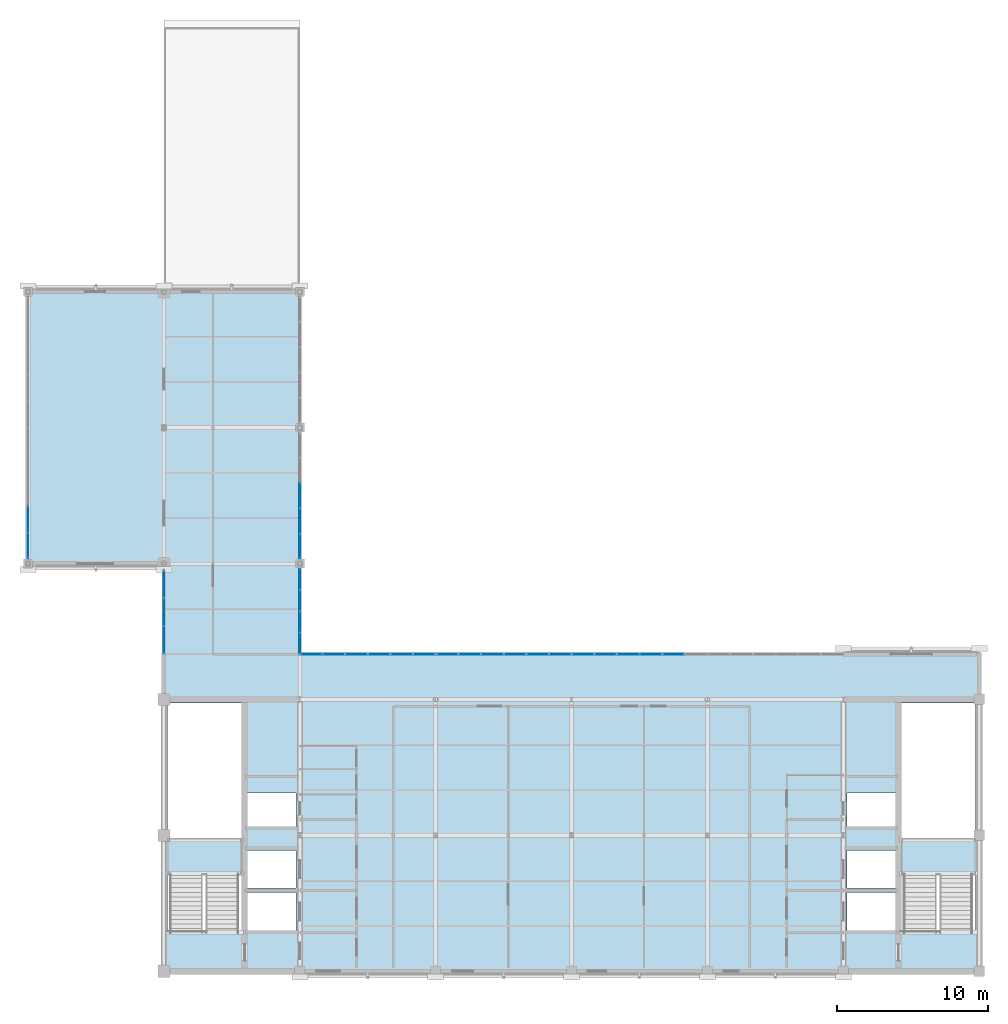
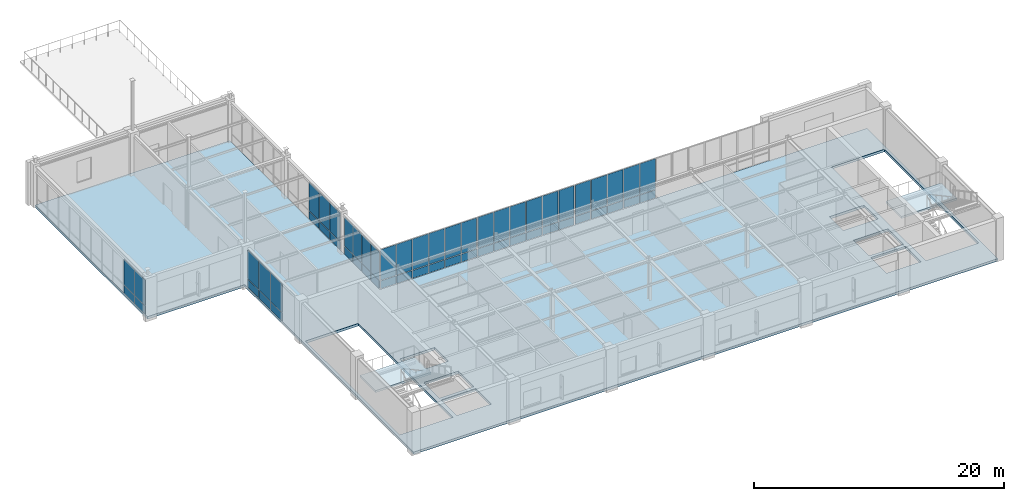
# One storey, part 28 of 36: 58 plates, 3 slabs, 6 openings, 9 elements without a shape of their own.
"""IFC4 building model written with IfcOpenShell, lengths in metres."""

from ifc_helpers import new_model, si_unit, direction, frame, origin, origin_2d, place, context, subcontext, project, spatial, polyline, rectangle, outline, extrude, material, layer, layer_set, type_object, element, aggregate, save


model = new_model("IFC4")

# Units and contexts
model_context = context("Model", 3, precision=1e-05, world=origin(), true_north=direction((0.0, 1.0)))
body_context = subcontext(model_context, "Body", "Model", "MODEL_VIEW")
ifc_project = project(units=[si_unit("LENGTHUNIT", "METRE"), si_unit("AREAUNIT", "SQUARE_METRE"), si_unit("VOLUMEUNIT", "CUBIC_METRE"), si_unit("PLANEANGLEUNIT", "RADIAN"), si_unit("MASSUNIT", "GRAM", prefix="KILO")], contexts=[model_context])

# Site, building, storey
site_placement = place(None, origin())
site = spatial("IfcSite", under=ifc_project, at=site_placement, CompositionType="ELEMENT")
building_placement = place(site_placement, origin())
building = spatial("IfcBuilding", under=site, at=building_placement, Name="Lykobir Media Centre", CompositionType="ELEMENT")
storey_placement = place(building_placement, frame((0.0, 0.0, 27.60009765625)))
storey = spatial("IfcBuildingStorey", under=building, at=storey_placement, Name="L06", CompositionType="ELEMENT", Elevation=27.60009765625)

# Curtain wall, plates
ifc_material_1 = material(Name="Anodized Aluminium AW-6060", Category="aluminium")
curtain_wall_type_1 = type_object("IfcCurtainWallType", Name="CW-COURT-B", PredefinedType="NOTDEFINED", material=ifc_material_1)
curtain_wall_1_placement = place(storey_placement, origin())
curtain_wall_1 = element("IfcCurtainWall", 1, at=curtain_wall_1_placement, inside=storey, type_object=curtain_wall_type_1, Name="Curtain wall CW2-L06-0206", PredefinedType="NOTDEFINED")
ifc_material_2 = material(Name="Low-E Laminated Triple Glazing", Category="glass")
ifc_layer_1 = layer(ifc_material_2, 0.0380859375, Name="Low-E Laminated Triple Glazing")
ifc_layer_set_1 = layer_set([ifc_layer_1], Name="Low-E Laminated Triple Glazing")
plate_type_1 = type_object("IfcPlateType", Name="CWP-GLZ-38", PredefinedType="CURTAIN_PANEL", material=ifc_layer_set_1)
plate_1_placement = place(storey_placement, frame((36.763916015625, 21.0, 0.87744140625), z_axis=(0.0, 0.0, 1.0), x_axis=(1.0, 0.0, 0.0)))
plate_1 = element("IfcPlate", 2, at=plate_1_placement, type_object=plate_type_1, Name="CW2-L06-0206 panel 1.2", PredefinedType="CURTAIN_PANEL", context=body_context, shape_type="SweptSolid", body=[
    extrude(rectangle(XDim=1.41748046875, YDim=0.0380859375, at=origin_2d()), origin(), (0.0, 0.0, 1.0), 3.007568359375),
])
plate_2_placement = place(storey_placement, frame((38.25, 21.0, 0.87744140625), z_axis=(0.0, 0.0, 1.0), x_axis=(1.0, 0.0, 0.0)))
plate_2 = element("IfcPlate", 3, at=plate_2_placement, type_object=plate_type_1, Name="CW2-L06-0206 panel 2.2", PredefinedType="CURTAIN_PANEL", context=body_context, shape_type="SweptSolid", body=[
    extrude(rectangle(XDim=1.445068359375, YDim=0.0380859375, at=origin_2d()), origin(), (0.0, 0.0, 1.0), 3.007568359375),
])
plate_3_placement = place(storey_placement, frame((39.75, 21.0, 0.87744140625), z_axis=(0.0, 0.0, 1.0), x_axis=(1.0, 0.0, 0.0)))
plate_3 = element("IfcPlate", 4, at=plate_3_placement, type_object=plate_type_1, Name="CW2-L06-0206 panel 3.2", PredefinedType="CURTAIN_PANEL", context=body_context, shape_type="SweptSolid", body=[
    extrude(rectangle(XDim=1.445068359375, YDim=0.0380859375, at=origin_2d()), origin(), (0.0, 0.0, 1.0), 3.007568359375),
])
plate_4_placement = place(storey_placement, frame((41.25, 21.0, 0.87744140625), z_axis=(0.0, 0.0, 1.0), x_axis=(1.0, 0.0, 0.0)))
plate_4 = element("IfcPlate", 5, at=plate_4_placement, type_object=plate_type_1, Name="CW2-L06-0206 panel 4.2", PredefinedType="CURTAIN_PANEL", context=body_context, shape_type="SweptSolid", body=[
    extrude(rectangle(XDim=1.445068359375, YDim=0.0380859375, at=origin_2d()), origin(), (0.0, 0.0, 1.0), 3.007568359375),
])
plate_5_placement = place(storey_placement, frame((42.75, 21.0, 0.87744140625), z_axis=(0.0, 0.0, 1.0), x_axis=(1.0, 0.0, 0.0)))
plate_5 = element("IfcPlate", 6, at=plate_5_placement, type_object=plate_type_1, Name="CW2-L06-0206 panel 5.2", PredefinedType="CURTAIN_PANEL", context=body_context, shape_type="SweptSolid", body=[
    extrude(rectangle(XDim=1.445068359375, YDim=0.0380859375, at=origin_2d()), origin(), (0.0, 0.0, 1.0), 3.007568359375),
])
plate_6_placement = place(storey_placement, frame((44.236083984375, 21.0, 0.87744140625), z_axis=(0.0, 0.0, 1.0), x_axis=(1.0, 0.0, 0.0)))
plate_6 = element("IfcPlate", 7, at=plate_6_placement, type_object=plate_type_1, Name="CW2-L06-0206 panel 6.2", PredefinedType="CURTAIN_PANEL", context=body_context, shape_type="SweptSolid", body=[
    extrude(rectangle(XDim=1.41748046875, YDim=0.0380859375, at=origin_2d()), origin(), (0.0, 0.0, 1.0), 3.007568359375),
])

curtain_wall_2_placement = place(storey_placement, origin())
curtain_wall_2 = element("IfcCurtainWall", 8, at=curtain_wall_2_placement, inside=storey, type_object=curtain_wall_type_1, Name="Curtain wall CW2-L06-0207", PredefinedType="NOTDEFINED")
plate_7_placement = place(storey_placement, frame((45.763916015625, 21.0, 0.87744140625), z_axis=(0.0, 0.0, 1.0), x_axis=(1.0, 0.0, 0.0)))
plate_7 = element("IfcPlate", 9, at=plate_7_placement, type_object=plate_type_1, Name="CW2-L06-0207 panel 1.2", PredefinedType="CURTAIN_PANEL", context=body_context, shape_type="SweptSolid", body=[
    extrude(rectangle(XDim=1.41748046875, YDim=0.0380859375, at=origin_2d()), origin(), (0.0, 0.0, 1.0), 3.007568359375),
])
plate_8_placement = place(storey_placement, frame((47.25, 21.0, 0.87744140625), z_axis=(0.0, 0.0, 1.0), x_axis=(1.0, 0.0, 0.0)))
plate_8 = element("IfcPlate", 10, at=plate_8_placement, type_object=plate_type_1, Name="CW2-L06-0207 panel 2.2", PredefinedType="CURTAIN_PANEL", context=body_context, shape_type="SweptSolid", body=[
    extrude(rectangle(XDim=1.445068359375, YDim=0.0380859375, at=origin_2d()), origin(), (0.0, 0.0, 1.0), 3.007568359375),
])
plate_9_placement = place(storey_placement, frame((48.75, 21.0, 0.87744140625), z_axis=(0.0, 0.0, 1.0), x_axis=(1.0, 0.0, 0.0)))
plate_9 = element("IfcPlate", 11, at=plate_9_placement, type_object=plate_type_1, Name="CW2-L06-0207 panel 3.2", PredefinedType="CURTAIN_PANEL", context=body_context, shape_type="SweptSolid", body=[
    extrude(rectangle(XDim=1.445068359375, YDim=0.0380859375, at=origin_2d()), origin(), (0.0, 0.0, 1.0), 3.007568359375),
])
plate_10_placement = place(storey_placement, frame((50.25, 21.0, 0.87744140625), z_axis=(0.0, 0.0, 1.0), x_axis=(1.0, 0.0, 0.0)))
plate_10 = element("IfcPlate", 12, at=plate_10_placement, type_object=plate_type_1, Name="CW2-L06-0207 panel 4.2", PredefinedType="CURTAIN_PANEL", context=body_context, shape_type="SweptSolid", body=[
    extrude(rectangle(XDim=1.445068359375, YDim=0.0380859375, at=origin_2d()), origin(), (0.0, 0.0, 1.0), 3.007568359375),
])
plate_11_placement = place(storey_placement, frame((51.75, 21.0, 0.87744140625), z_axis=(0.0, 0.0, 1.0), x_axis=(1.0, 0.0, 0.0)))
plate_11 = element("IfcPlate", 13, at=plate_11_placement, type_object=plate_type_1, Name="CW2-L06-0207 panel 5.2", PredefinedType="CURTAIN_PANEL", context=body_context, shape_type="SweptSolid", body=[
    extrude(rectangle(XDim=1.445068359375, YDim=0.0380859375, at=origin_2d()), origin(), (0.0, 0.0, 1.0), 3.007568359375),
])
plate_12_placement = place(storey_placement, frame((53.236083984375, 21.0, 0.87744140625), z_axis=(0.0, 0.0, 1.0), x_axis=(1.0, 0.0, 0.0)))
plate_12 = element("IfcPlate", 14, at=plate_12_placement, type_object=plate_type_1, Name="CW2-L06-0207 panel 6.2", PredefinedType="CURTAIN_PANEL", context=body_context, shape_type="SweptSolid", body=[
    extrude(rectangle(XDim=1.41748046875, YDim=0.0380859375, at=origin_2d()), origin(), (0.0, 0.0, 1.0), 3.007568359375),
])

curtain_wall_3_placement = place(storey_placement, origin())
curtain_wall_3 = element("IfcCurtainWall", 15, at=curtain_wall_3_placement, inside=storey, type_object=curtain_wall_type_1, Name="Curtain wall CW2-L06-0208", PredefinedType="NOTDEFINED")
plate_13_placement = place(storey_placement, frame((54.763916015625, 21.0, 0.87744140625), z_axis=(0.0, 0.0, 1.0), x_axis=(1.0, 0.0, 0.0)))
plate_13 = element("IfcPlate", 16, at=plate_13_placement, type_object=plate_type_1, Name="CW2-L06-0208 panel 1.2", PredefinedType="CURTAIN_PANEL", context=body_context, shape_type="SweptSolid", body=[
    extrude(rectangle(XDim=1.41748046875, YDim=0.0380859375, at=origin_2d()), origin(), (0.0, 0.0, 1.0), 3.007568359375),
])
plate_14_placement = place(storey_placement, frame((56.25, 21.0, 0.87744140625), z_axis=(0.0, 0.0, 1.0), x_axis=(1.0, 0.0, 0.0)))
plate_14 = element("IfcPlate", 17, at=plate_14_placement, type_object=plate_type_1, Name="CW2-L06-0208 panel 2.2", PredefinedType="CURTAIN_PANEL", context=body_context, shape_type="SweptSolid", body=[
    extrude(rectangle(XDim=1.445068359375, YDim=0.0380859375, at=origin_2d()), origin(), (0.0, 0.0, 1.0), 3.007568359375),
])
plate_15_placement = place(storey_placement, frame((57.75, 21.0, 0.87744140625), z_axis=(0.0, 0.0, 1.0), x_axis=(1.0, 0.0, 0.0)))
plate_15 = element("IfcPlate", 18, at=plate_15_placement, type_object=plate_type_1, Name="CW2-L06-0208 panel 3.2", PredefinedType="CURTAIN_PANEL", context=body_context, shape_type="SweptSolid", body=[
    extrude(rectangle(XDim=1.445068359375, YDim=0.0380859375, at=origin_2d()), origin(), (0.0, 0.0, 1.0), 3.007568359375),
])
plate_16_placement = place(storey_placement, frame((59.25, 21.0, 0.87744140625), z_axis=(0.0, 0.0, 1.0), x_axis=(1.0, 0.0, 0.0)))
plate_16 = element("IfcPlate", 19, at=plate_16_placement, type_object=plate_type_1, Name="CW2-L06-0208 panel 4.2", PredefinedType="CURTAIN_PANEL", context=body_context, shape_type="SweptSolid", body=[
    extrude(rectangle(XDim=1.445068359375, YDim=0.0380859375, at=origin_2d()), origin(), (0.0, 0.0, 1.0), 3.007568359375),
])
plate_17_placement = place(storey_placement, frame((60.75, 21.0, 0.87744140625), z_axis=(0.0, 0.0, 1.0), x_axis=(1.0, 0.0, 0.0)))
plate_17 = element("IfcPlate", 20, at=plate_17_placement, type_object=plate_type_1, Name="CW2-L06-0208 panel 5.2", PredefinedType="CURTAIN_PANEL", context=body_context, shape_type="SweptSolid", body=[
    extrude(rectangle(XDim=1.445068359375, YDim=0.0380859375, at=origin_2d()), origin(), (0.0, 0.0, 1.0), 3.007568359375),
])

curtain_wall_4_placement = place(storey_placement, origin())
curtain_wall_4 = element("IfcCurtainWall", 21, at=curtain_wall_4_placement, inside=storey, type_object=curtain_wall_type_1, Name="Curtain wall CW2-L06-0210", PredefinedType="NOTDEFINED")
plate_18_placement = place(storey_placement, frame((36.0, 25.969482421875, 0.87744140625), z_axis=(0.0, 0.0, 1.0), x_axis=(0.0, -1.0, 0.0)))
plate_18 = element("IfcPlate", 22, at=plate_18_placement, type_object=plate_type_1, Name="CW2-L06-0210 panel 1.2", PredefinedType="CURTAIN_PANEL", context=body_context, shape_type="SweptSolid", body=[
    extrude(rectangle(XDim=1.34130859375, YDim=0.0380859375, at=origin_2d()), origin(), (0.0, 0.0, 1.0), 2.762451171875),
])
plate_19_placement = place(storey_placement, frame((36.0, 24.559326171875, 0.87744140625), z_axis=(0.0, 0.0, 1.0), x_axis=(0.0, -1.0, 0.0)))
plate_19 = element("IfcPlate", 23, at=plate_19_placement, type_object=plate_type_1, Name="CW2-L06-0210 panel 2.2", PredefinedType="CURTAIN_PANEL", context=body_context, shape_type="SweptSolid", body=[
    extrude(rectangle(XDim=1.368896484375, YDim=0.0380859375, at=origin_2d()), origin(), (0.0, 0.0, 1.0), 2.762451171875),
])
plate_20_placement = place(storey_placement, frame((36.0, 23.135498046875, 0.87744140625), z_axis=(0.0, 0.0, 1.0), x_axis=(0.0, -1.0, 0.0)))
plate_20 = element("IfcPlate", 24, at=plate_20_placement, type_object=plate_type_1, Name="CW2-L06-0210 panel 3.2", PredefinedType="CURTAIN_PANEL", context=body_context, shape_type="SweptSolid", body=[
    extrude(rectangle(XDim=1.368896484375, YDim=0.0380859375, at=origin_2d()), origin(), (0.0, 0.0, 1.0), 2.762451171875),
])
plate_21_placement = place(storey_placement, frame((36.0, 21.7255859375, 0.87744140625), z_axis=(0.0, 0.0, 1.0), x_axis=(0.0, -1.0, 0.0)))
plate_21 = element("IfcPlate", 25, at=plate_21_placement, type_object=plate_type_1, Name="CW2-L06-0210 panel 4.2", PredefinedType="CURTAIN_PANEL", context=body_context, shape_type="SweptSolid", body=[
    extrude(rectangle(XDim=1.34130859375, YDim=0.0380859375, at=origin_2d()), origin(), (0.0, 0.0, 1.0), 2.762451171875),
])

curtain_wall_5_placement = place(storey_placement, origin())
curtain_wall_5 = element("IfcCurtainWall", 26, at=curtain_wall_5_placement, inside=storey, type_object=curtain_wall_type_1, Name="Curtain wall CW2-L06-0211", PredefinedType="NOTDEFINED")
plate_22_placement = place(storey_placement, frame((36.0, 31.5, 0.87744140625), z_axis=(0.0, 0.0, 1.0), x_axis=(0.0, -1.0, 0.0)))
plate_22 = element("IfcPlate", 27, at=plate_22_placement, type_object=plate_type_1, Name="CW2-L06-0211 panel 3.2", PredefinedType="CURTAIN_PANEL", context=body_context, shape_type="SweptSolid", body=[
    extrude(rectangle(XDim=1.623046875, YDim=0.0380859375, at=origin_2d()), origin(), (0.0, 0.0, 1.0), 2.760498046875),
])
plate_23_placement = place(storey_placement, frame((36.0, 29.822021484375, 0.87744140625), z_axis=(0.0, 0.0, 1.0), x_axis=(0.0, -1.0, 0.0)))
plate_23 = element("IfcPlate", 28, at=plate_23_placement, type_object=plate_type_1, Name="CW2-L06-0211 panel 4.2", PredefinedType="CURTAIN_PANEL", context=body_context, shape_type="SweptSolid", body=[
    extrude(rectangle(XDim=1.623046875, YDim=0.0380859375, at=origin_2d()), origin(), (0.0, 0.0, 1.0), 2.760498046875),
])
plate_24_placement = place(storey_placement, frame((36.0, 28.15771484375, 0.87744140625), z_axis=(0.0, 0.0, 1.0), x_axis=(0.0, -1.0, 0.0)))
plate_24 = element("IfcPlate", 29, at=plate_24_placement, type_object=plate_type_1, Name="CW2-L06-0211 panel 5.2", PredefinedType="CURTAIN_PANEL", context=body_context, shape_type="SweptSolid", body=[
    extrude(rectangle(XDim=1.595458984375, YDim=0.0380859375, at=origin_2d()), origin(), (0.0, 0.0, 1.0), 2.760498046875),
])

curtain_wall_type_2 = type_object("IfcCurtainWallType", Name="CW-PAV-V3", PredefinedType="NOTDEFINED", material=ifc_material_1)
curtain_wall_6_placement = place(storey_placement, origin())
curtain_wall_6 = element("IfcCurtainWall", 30, at=curtain_wall_6_placement, inside=storey, type_object=curtain_wall_type_2, Name="Curtain wall CW2-L06-0213", PredefinedType="NOTDEFINED")
plate_25_placement = place(storey_placement, frame((18.0, 28.189453125, 0.8798828125), z_axis=(0.0, 0.0, 1.0), x_axis=(0.0, 1.0, 0.0)))
plate_25 = element("IfcPlate", 31, at=plate_25_placement, type_object=plate_type_1, Name="CW2-L06-0213 panel 1.2", PredefinedType="CURTAIN_PANEL", context=body_context, shape_type="SweptSolid", body=[
    extrude(rectangle(XDim=1.64892578125, YDim=0.0380859375, at=origin_2d()), origin(), (0.0, 0.0, 1.0), 2.47509765625),
])
plate_26_placement = place(storey_placement, frame((18.0, 29.91357421875, 0.8798828125), z_axis=(0.0, 0.0, 1.0), x_axis=(0.0, 1.0, 0.0)))
plate_26 = element("IfcPlate", 32, at=plate_26_placement, type_object=plate_type_1, Name="CW2-L06-0213 panel 2.2", PredefinedType="CURTAIN_PANEL", context=body_context, shape_type="SweptSolid", body=[
    extrude(rectangle(XDim=1.678955078125, YDim=0.0380859375, at=origin_2d()), origin(), (0.0, 0.0, 1.0), 2.47509765625),
])

curtain_wall_7_placement = place(storey_placement, origin())
curtain_wall_7 = element("IfcCurtainWall", 33, at=curtain_wall_7_placement, inside=storey, type_object=curtain_wall_type_1, Name="Curtain wall CW2-L06-0215", PredefinedType="NOTDEFINED")
plate_27_placement = place(storey_placement, frame((27.0, 21.9462890625, 0.87744140625), z_axis=(0.0, 0.0, 1.0), x_axis=(0.0, 1.0, 0.0)))
plate_27 = element("IfcPlate", 34, at=plate_27_placement, type_object=plate_type_1, Name="CW2-L06-0215 panel 1.2", PredefinedType="CURTAIN_PANEL", context=body_context, shape_type="SweptSolid", body=[
    extrude(rectangle(XDim=1.782470703125, YDim=0.0380859375, at=origin_2d()), origin(), (0.0, 0.0, 1.0), 2.782470703125),
])
plate_28_placement = place(storey_placement, frame((27.0, 23.797607421875, 0.87744140625), z_axis=(0.0, 0.0, 1.0), x_axis=(0.0, 1.0, 0.0)))
plate_28 = element("IfcPlate", 35, at=plate_28_placement, type_object=plate_type_1, Name="CW2-L06-0215 panel 2.2", PredefinedType="CURTAIN_PANEL", context=body_context, shape_type="SweptSolid", body=[
    extrude(rectangle(XDim=1.81005859375, YDim=0.0380859375, at=origin_2d()), origin(), (0.0, 0.0, 1.0), 2.782470703125),
])
plate_29_placement = place(storey_placement, frame((27.0, 25.648681640625, 0.87744140625), z_axis=(0.0, 0.0, 1.0), x_axis=(0.0, 1.0, 0.0)))
plate_29 = element("IfcPlate", 36, at=plate_29_placement, type_object=plate_type_1, Name="CW2-L06-0215 panel 3.2", PredefinedType="CURTAIN_PANEL", context=body_context, shape_type="SweptSolid", body=[
    extrude(rectangle(XDim=1.782470703125, YDim=0.0380859375, at=origin_2d()), origin(), (0.0, 0.0, 1.0), 2.782470703125),
])

# Plate
ifc_material_3 = material(Name="Pre-Weathered Titanium-Zinc", Category="metal")
ifc_layer_2 = layer(ifc_material_3, 0.052001953125, Name="Pre-Weathered Titanium-Zinc")
ifc_layer_set_2 = layer_set([ifc_layer_2], Name="Pre-Weathered Titanium-Zinc")
plate_type_2 = type_object("IfcPlateType", Name="CWP-SPN-52", PredefinedType="CURTAIN_PANEL", material=ifc_layer_set_2)
plate_30_placement = place(storey_placement, frame((36.763916015625, 21.0, 0.054931640625), z_axis=(0.0, 0.0, 1.0), x_axis=(1.0, 0.0, 0.0)))
plate_30 = element("IfcPlate", 37, at=plate_30_placement, type_object=plate_type_2, Name="CW2-L06-0206 panel 1.1", PredefinedType="CURTAIN_PANEL", context=body_context, shape_type="SweptSolid", body=[
    extrude(rectangle(XDim=1.41748046875, YDim=0.052001953125, at=origin_2d()), origin(), (0.0, 0.0, 1.0), 0.767578125),
])

plate_31_placement = place(storey_placement, frame((38.25, 21.0, 0.054931640625), z_axis=(0.0, 0.0, 1.0), x_axis=(1.0, 0.0, 0.0)))
plate_31 = element("IfcPlate", 38, at=plate_31_placement, type_object=plate_type_2, Name="CW2-L06-0206 panel 2.1", PredefinedType="CURTAIN_PANEL", context=body_context, shape_type="SweptSolid", body=[
    extrude(rectangle(XDim=1.445068359375, YDim=0.052001953125, at=origin_2d()), origin(), (0.0, 0.0, 1.0), 0.767578125),
])

plate_32_placement = place(storey_placement, frame((39.75, 21.0, 0.054931640625), z_axis=(0.0, 0.0, 1.0), x_axis=(1.0, 0.0, 0.0)))
plate_32 = element("IfcPlate", 39, at=plate_32_placement, type_object=plate_type_2, Name="CW2-L06-0206 panel 3.1", PredefinedType="CURTAIN_PANEL", context=body_context, shape_type="SweptSolid", body=[
    extrude(rectangle(XDim=1.445068359375, YDim=0.052001953125, at=origin_2d()), origin(), (0.0, 0.0, 1.0), 0.767578125),
])

plate_33_placement = place(storey_placement, frame((41.25, 21.0, 0.054931640625), z_axis=(0.0, 0.0, 1.0), x_axis=(1.0, 0.0, 0.0)))
plate_33 = element("IfcPlate", 40, at=plate_33_placement, type_object=plate_type_2, Name="CW2-L06-0206 panel 4.1", PredefinedType="CURTAIN_PANEL", context=body_context, shape_type="SweptSolid", body=[
    extrude(rectangle(XDim=1.445068359375, YDim=0.052001953125, at=origin_2d()), origin(), (0.0, 0.0, 1.0), 0.767578125),
])

plate_34_placement = place(storey_placement, frame((42.75, 21.0, 0.054931640625), z_axis=(0.0, 0.0, 1.0), x_axis=(1.0, 0.0, 0.0)))
plate_34 = element("IfcPlate", 41, at=plate_34_placement, type_object=plate_type_2, Name="CW2-L06-0206 panel 5.1", PredefinedType="CURTAIN_PANEL", context=body_context, shape_type="SweptSolid", body=[
    extrude(rectangle(XDim=1.445068359375, YDim=0.052001953125, at=origin_2d()), origin(), (0.0, 0.0, 1.0), 0.767578125),
])

plate_35_placement = place(storey_placement, frame((44.236083984375, 21.0, 0.054931640625), z_axis=(0.0, 0.0, 1.0), x_axis=(1.0, 0.0, 0.0)))
plate_35 = element("IfcPlate", 42, at=plate_35_placement, type_object=plate_type_2, Name="CW2-L06-0206 panel 6.1", PredefinedType="CURTAIN_PANEL", context=body_context, shape_type="SweptSolid", body=[
    extrude(rectangle(XDim=1.41748046875, YDim=0.052001953125, at=origin_2d()), origin(), (0.0, 0.0, 1.0), 0.767578125),
])

aggregate(curtain_wall_1, [plate_30, plate_1, plate_31, plate_2, plate_32, plate_3, plate_33, plate_4, plate_34, plate_5, plate_35, plate_6])

plate_36_placement = place(storey_placement, frame((45.763916015625, 21.0, 0.054931640625), z_axis=(0.0, 0.0, 1.0), x_axis=(1.0, 0.0, 0.0)))
plate_36 = element("IfcPlate", 43, at=plate_36_placement, type_object=plate_type_2, Name="CW2-L06-0207 panel 1.1", PredefinedType="CURTAIN_PANEL", context=body_context, shape_type="SweptSolid", body=[
    extrude(rectangle(XDim=1.41748046875, YDim=0.052001953125, at=origin_2d()), origin(), (0.0, 0.0, 1.0), 0.767578125),
])

plate_37_placement = place(storey_placement, frame((47.25, 21.0, 0.054931640625), z_axis=(0.0, 0.0, 1.0), x_axis=(1.0, 0.0, 0.0)))
plate_37 = element("IfcPlate", 44, at=plate_37_placement, type_object=plate_type_2, Name="CW2-L06-0207 panel 2.1", PredefinedType="CURTAIN_PANEL", context=body_context, shape_type="SweptSolid", body=[
    extrude(rectangle(XDim=1.445068359375, YDim=0.052001953125, at=origin_2d()), origin(), (0.0, 0.0, 1.0), 0.767578125),
])

plate_38_placement = place(storey_placement, frame((48.75, 21.0, 0.054931640625), z_axis=(0.0, 0.0, 1.0), x_axis=(1.0, 0.0, 0.0)))
plate_38 = element("IfcPlate", 45, at=plate_38_placement, type_object=plate_type_2, Name="CW2-L06-0207 panel 3.1", PredefinedType="CURTAIN_PANEL", context=body_context, shape_type="SweptSolid", body=[
    extrude(rectangle(XDim=1.445068359375, YDim=0.052001953125, at=origin_2d()), origin(), (0.0, 0.0, 1.0), 0.767578125),
])

plate_39_placement = place(storey_placement, frame((50.25, 21.0, 0.054931640625), z_axis=(0.0, 0.0, 1.0), x_axis=(1.0, 0.0, 0.0)))
plate_39 = element("IfcPlate", 46, at=plate_39_placement, type_object=plate_type_2, Name="CW2-L06-0207 panel 4.1", PredefinedType="CURTAIN_PANEL", context=body_context, shape_type="SweptSolid", body=[
    extrude(rectangle(XDim=1.445068359375, YDim=0.052001953125, at=origin_2d()), origin(), (0.0, 0.0, 1.0), 0.767578125),
])

plate_40_placement = place(storey_placement, frame((51.75, 21.0, 0.054931640625), z_axis=(0.0, 0.0, 1.0), x_axis=(1.0, 0.0, 0.0)))
plate_40 = element("IfcPlate", 47, at=plate_40_placement, type_object=plate_type_2, Name="CW2-L06-0207 panel 5.1", PredefinedType="CURTAIN_PANEL", context=body_context, shape_type="SweptSolid", body=[
    extrude(rectangle(XDim=1.445068359375, YDim=0.052001953125, at=origin_2d()), origin(), (0.0, 0.0, 1.0), 0.767578125),
])

plate_41_placement = place(storey_placement, frame((53.236083984375, 21.0, 0.054931640625), z_axis=(0.0, 0.0, 1.0), x_axis=(1.0, 0.0, 0.0)))
plate_41 = element("IfcPlate", 48, at=plate_41_placement, type_object=plate_type_2, Name="CW2-L06-0207 panel 6.1", PredefinedType="CURTAIN_PANEL", context=body_context, shape_type="SweptSolid", body=[
    extrude(rectangle(XDim=1.41748046875, YDim=0.052001953125, at=origin_2d()), origin(), (0.0, 0.0, 1.0), 0.767578125),
])

aggregate(curtain_wall_2, [plate_36, plate_7, plate_37, plate_8, plate_38, plate_9, plate_39, plate_10, plate_40, plate_11, plate_41, plate_12])

plate_42_placement = place(storey_placement, frame((54.763916015625, 21.0, 0.054931640625), z_axis=(0.0, 0.0, 1.0), x_axis=(1.0, 0.0, 0.0)))
plate_42 = element("IfcPlate", 49, at=plate_42_placement, type_object=plate_type_2, Name="CW2-L06-0208 panel 1.1", PredefinedType="CURTAIN_PANEL", context=body_context, shape_type="SweptSolid", body=[
    extrude(rectangle(XDim=1.41748046875, YDim=0.052001953125, at=origin_2d()), origin(), (0.0, 0.0, 1.0), 0.767578125),
])

plate_43_placement = place(storey_placement, frame((56.25, 21.0, 0.054931640625), z_axis=(0.0, 0.0, 1.0), x_axis=(1.0, 0.0, 0.0)))
plate_43 = element("IfcPlate", 50, at=plate_43_placement, type_object=plate_type_2, Name="CW2-L06-0208 panel 2.1", PredefinedType="CURTAIN_PANEL", context=body_context, shape_type="SweptSolid", body=[
    extrude(rectangle(XDim=1.445068359375, YDim=0.052001953125, at=origin_2d()), origin(), (0.0, 0.0, 1.0), 0.767578125),
])

plate_44_placement = place(storey_placement, frame((57.75, 21.0, 0.054931640625), z_axis=(0.0, 0.0, 1.0), x_axis=(1.0, 0.0, 0.0)))
plate_44 = element("IfcPlate", 51, at=plate_44_placement, type_object=plate_type_2, Name="CW2-L06-0208 panel 3.1", PredefinedType="CURTAIN_PANEL", context=body_context, shape_type="SweptSolid", body=[
    extrude(rectangle(XDim=1.445068359375, YDim=0.052001953125, at=origin_2d()), origin(), (0.0, 0.0, 1.0), 0.767578125),
])

plate_45_placement = place(storey_placement, frame((59.25, 21.0, 0.054931640625), z_axis=(0.0, 0.0, 1.0), x_axis=(1.0, 0.0, 0.0)))
plate_45 = element("IfcPlate", 52, at=plate_45_placement, type_object=plate_type_2, Name="CW2-L06-0208 panel 4.1", PredefinedType="CURTAIN_PANEL", context=body_context, shape_type="SweptSolid", body=[
    extrude(rectangle(XDim=1.445068359375, YDim=0.052001953125, at=origin_2d()), origin(), (0.0, 0.0, 1.0), 0.767578125),
])

plate_46_placement = place(storey_placement, frame((60.75, 21.0, 0.054931640625), z_axis=(0.0, 0.0, 1.0), x_axis=(1.0, 0.0, 0.0)))
plate_46 = element("IfcPlate", 53, at=plate_46_placement, type_object=plate_type_2, Name="CW2-L06-0208 panel 5.1", PredefinedType="CURTAIN_PANEL", context=body_context, shape_type="SweptSolid", body=[
    extrude(rectangle(XDim=1.445068359375, YDim=0.052001953125, at=origin_2d()), origin(), (0.0, 0.0, 1.0), 0.767578125),
])

aggregate(curtain_wall_3, [plate_42, plate_13, plate_43, plate_14, plate_44, plate_15, plate_45, plate_16, plate_46, plate_17])

plate_47_placement = place(storey_placement, frame((36.0, 25.969482421875, 0.054931640625), z_axis=(0.0, 0.0, 1.0), x_axis=(0.0, -1.0, 0.0)))
plate_47 = element("IfcPlate", 54, at=plate_47_placement, type_object=plate_type_2, Name="CW2-L06-0210 panel 1.1", PredefinedType="CURTAIN_PANEL", context=body_context, shape_type="SweptSolid", body=[
    extrude(rectangle(XDim=1.34130859375, YDim=0.052001953125, at=origin_2d()), origin(), (0.0, 0.0, 1.0), 0.767578125),
])

plate_48_placement = place(storey_placement, frame((36.0, 24.559326171875, 0.054931640625), z_axis=(0.0, 0.0, 1.0), x_axis=(0.0, -1.0, 0.0)))
plate_48 = element("IfcPlate", 55, at=plate_48_placement, type_object=plate_type_2, Name="CW2-L06-0210 panel 2.1", PredefinedType="CURTAIN_PANEL", context=body_context, shape_type="SweptSolid", body=[
    extrude(rectangle(XDim=1.368896484375, YDim=0.052001953125, at=origin_2d()), origin(), (0.0, 0.0, 1.0), 0.767578125),
])

plate_49_placement = place(storey_placement, frame((36.0, 23.135498046875, 0.054931640625), z_axis=(0.0, 0.0, 1.0), x_axis=(0.0, -1.0, 0.0)))
plate_49 = element("IfcPlate", 56, at=plate_49_placement, type_object=plate_type_2, Name="CW2-L06-0210 panel 3.1", PredefinedType="CURTAIN_PANEL", context=body_context, shape_type="SweptSolid", body=[
    extrude(rectangle(XDim=1.368896484375, YDim=0.052001953125, at=origin_2d()), origin(), (0.0, 0.0, 1.0), 0.767578125),
])

plate_50_placement = place(storey_placement, frame((36.0, 21.7255859375, 0.054931640625), z_axis=(0.0, 0.0, 1.0), x_axis=(0.0, -1.0, 0.0)))
plate_50 = element("IfcPlate", 57, at=plate_50_placement, type_object=plate_type_2, Name="CW2-L06-0210 panel 4.1", PredefinedType="CURTAIN_PANEL", context=body_context, shape_type="SweptSolid", body=[
    extrude(rectangle(XDim=1.34130859375, YDim=0.052001953125, at=origin_2d()), origin(), (0.0, 0.0, 1.0), 0.767578125),
])

aggregate(curtain_wall_4, [plate_47, plate_18, plate_48, plate_19, plate_49, plate_20, plate_50, plate_21])

plate_51_placement = place(storey_placement, frame((36.0, 31.5, 0.054931640625), z_axis=(0.0, 0.0, 1.0), x_axis=(0.0, -1.0, 0.0)))
plate_51 = element("IfcPlate", 58, at=plate_51_placement, type_object=plate_type_2, Name="CW2-L06-0211 panel 3.1", PredefinedType="CURTAIN_PANEL", context=body_context, shape_type="SweptSolid", body=[
    extrude(rectangle(XDim=1.623046875, YDim=0.052001953125, at=origin_2d()), origin(), (0.0, 0.0, 1.0), 0.767578125),
])

plate_52_placement = place(storey_placement, frame((36.0, 29.822021484375, 0.054931640625), z_axis=(0.0, 0.0, 1.0), x_axis=(0.0, -1.0, 0.0)))
plate_52 = element("IfcPlate", 59, at=plate_52_placement, type_object=plate_type_2, Name="CW2-L06-0211 panel 4.1", PredefinedType="CURTAIN_PANEL", context=body_context, shape_type="SweptSolid", body=[
    extrude(rectangle(XDim=1.623046875, YDim=0.052001953125, at=origin_2d()), origin(), (0.0, 0.0, 1.0), 0.767578125),
])

plate_53_placement = place(storey_placement, frame((36.0, 28.15771484375, 0.054931640625), z_axis=(0.0, 0.0, 1.0), x_axis=(0.0, -1.0, 0.0)))
plate_53 = element("IfcPlate", 60, at=plate_53_placement, type_object=plate_type_2, Name="CW2-L06-0211 panel 5.1", PredefinedType="CURTAIN_PANEL", context=body_context, shape_type="SweptSolid", body=[
    extrude(rectangle(XDim=1.595458984375, YDim=0.052001953125, at=origin_2d()), origin(), (0.0, 0.0, 1.0), 0.767578125),
])

aggregate(curtain_wall_5, [plate_51, plate_22, plate_52, plate_23, plate_53, plate_24])

plate_54_placement = place(storey_placement, frame((18.0, 28.189453125, 0.059814453125), z_axis=(0.0, 0.0, 1.0), x_axis=(0.0, 1.0, 0.0)))
plate_54 = element("IfcPlate", 61, at=plate_54_placement, type_object=plate_type_2, Name="CW2-L06-0213 panel 1.1", PredefinedType="CURTAIN_PANEL", context=body_context, shape_type="SweptSolid", body=[
    extrude(rectangle(XDim=1.64892578125, YDim=0.052001953125, at=origin_2d()), origin(), (0.0, 0.0, 1.0), 0.760009765625),
])

plate_55_placement = place(storey_placement, frame((18.0, 29.91357421875, 0.059814453125), z_axis=(0.0, 0.0, 1.0), x_axis=(0.0, 1.0, 0.0)))
plate_55 = element("IfcPlate", 62, at=plate_55_placement, type_object=plate_type_2, Name="CW2-L06-0213 panel 2.1", PredefinedType="CURTAIN_PANEL", context=body_context, shape_type="SweptSolid", body=[
    extrude(rectangle(XDim=1.678955078125, YDim=0.052001953125, at=origin_2d()), origin(), (0.0, 0.0, 1.0), 0.760009765625),
])

aggregate(curtain_wall_6, [plate_54, plate_25, plate_55, plate_26])

plate_56_placement = place(storey_placement, frame((27.0, 21.9462890625, 0.054931640625), z_axis=(0.0, 0.0, 1.0), x_axis=(0.0, 1.0, 0.0)))
plate_56 = element("IfcPlate", 63, at=plate_56_placement, type_object=plate_type_2, Name="CW2-L06-0215 panel 1.1", PredefinedType="CURTAIN_PANEL", context=body_context, shape_type="SweptSolid", body=[
    extrude(rectangle(XDim=1.782470703125, YDim=0.052001953125, at=origin_2d()), origin(), (0.0, 0.0, 1.0), 0.767578125),
])

plate_57_placement = place(storey_placement, frame((27.0, 23.797607421875, 0.054931640625), z_axis=(0.0, 0.0, 1.0), x_axis=(0.0, 1.0, 0.0)))
plate_57 = element("IfcPlate", 64, at=plate_57_placement, type_object=plate_type_2, Name="CW2-L06-0215 panel 2.1", PredefinedType="CURTAIN_PANEL", context=body_context, shape_type="SweptSolid", body=[
    extrude(rectangle(XDim=1.81005859375, YDim=0.052001953125, at=origin_2d()), origin(), (0.0, 0.0, 1.0), 0.767578125),
])

plate_58_placement = place(storey_placement, frame((27.0, 25.648681640625, 0.054931640625), z_axis=(0.0, 0.0, 1.0), x_axis=(0.0, 1.0, 0.0)))
plate_58 = element("IfcPlate", 65, at=plate_58_placement, type_object=plate_type_2, Name="CW2-L06-0215 panel 3.1", PredefinedType="CURTAIN_PANEL", context=body_context, shape_type="SweptSolid", body=[
    extrude(rectangle(XDim=1.782470703125, YDim=0.052001953125, at=origin_2d()), origin(), (0.0, 0.0, 1.0), 0.767578125),
])

aggregate(curtain_wall_7, [plate_56, plate_27, plate_57, plate_28, plate_58, plate_29])

# Slab, openings
ifc_material_4 = material(Name="Concrete C30/37", Category="concrete")
ifc_layer_3 = layer(ifc_material_4, 0.239990234375, Name="Concrete C30/37")
ifc_layer_set_3 = layer_set([ifc_layer_3], Name="Concrete C30/37")
slab_type_1 = type_object("IfcSlabType", Name="FS-240", PredefinedType="FLOOR", material=ifc_layer_set_3)
slab_1_placement = place(storey_placement, frame((0.0, 0.0, -0.239990234375)))
slab_1 = element("IfcSlab", 66, at=slab_1_placement, inside=storey, type_object=slab_type_1, Name="L06 structural slab 1", PredefinedType="FLOOR", context=body_context, shape_type="SweptSolid", body=[
    extrude(outline(polyline([(27.0, 0.0), (81.0, 0.0), (81.0, 21.0), (36.0, 21.0), (36.0, 45.0), (27.0, 45.0), (18.0, 45.0), (18.0, 27.0), (27.0, 27.0), (27.0, 21.0), (27.0, 0.0)]), holes=[polyline([(32.14990234375, 2.64990234375), (27.25, 2.64990234375), (27.25, 17.75), (32.14990234375, 17.75), (32.14990234375, 2.64990234375)]), polyline([(80.75, 2.64990234375), (75.85009765625, 2.64990234375), (75.85009765625, 17.75), (80.75, 17.75), (80.75, 2.64990234375)])]), origin(), (0.0, 0.0, 1.0), 0.239990234375),
])
opening_1_placement = place(slab_1_placement, frame((34.14990234375, 3.949951171875, 0.0)))
element("IfcOpeningElement", 67, at=opening_1_placement, cuts=slab_1, Name="Shaft opening C1-pass_shaft-L06", PredefinedType="OPENING", context=body_context, shape_type="SweptSolid", body=[
    extrude(rectangle(XDim=3.199951171875, YDim=2.5, at=origin_2d()), origin(), (0.0, 0.0, 1.0), 0.239990234375),
])
opening_2_placement = place(slab_1_placement, frame((34.14990234375, 6.75, 0.0)))
element("IfcOpeningElement", 68, at=opening_2_placement, cuts=slab_1, Name="Shaft opening C1-ff_shaft-L06", PredefinedType="OPENING", context=body_context, shape_type="SweptSolid", body=[
    extrude(rectangle(XDim=3.199951171875, YDim=2.5, at=origin_2d()), origin(), (0.0, 0.0, 1.0), 0.239990234375),
])
opening_3_placement = place(slab_1_placement, frame((34.14990234375, 10.699951171875, 0.0)))
element("IfcOpeningElement", 69, at=opening_3_placement, cuts=slab_1, Name="Shaft opening C1-riser_shaft-L06", PredefinedType="OPENING", context=body_context, shape_type="SweptSolid", body=[
    extrude(rectangle(XDim=3.199951171875, YDim=2.199951171875, at=origin_2d()), origin(), (0.0, 0.0, 1.0), 0.239990234375),
])
opening_4_placement = place(slab_1_placement, frame((73.85009765625, 3.949951171875, 0.0)))
element("IfcOpeningElement", 70, at=opening_4_placement, cuts=slab_1, Name="Shaft opening C2-pass_shaft-L06", PredefinedType="OPENING", context=body_context, shape_type="SweptSolid", body=[
    extrude(rectangle(XDim=3.199951171875, YDim=2.5, at=origin_2d()), origin(), (0.0, 0.0, 1.0), 0.239990234375),
])
opening_5_placement = place(slab_1_placement, frame((73.85009765625, 6.75, 0.0)))
element("IfcOpeningElement", 71, at=opening_5_placement, cuts=slab_1, Name="Shaft opening C2-ff_shaft-L06", PredefinedType="OPENING", context=body_context, shape_type="SweptSolid", body=[
    extrude(rectangle(XDim=3.199951171875, YDim=2.5, at=origin_2d()), origin(), (0.0, 0.0, 1.0), 0.239990234375),
])
opening_6_placement = place(slab_1_placement, frame((73.85009765625, 10.699951171875, 0.0)))
element("IfcOpeningElement", 72, at=opening_6_placement, cuts=slab_1, Name="Shaft opening C2-riser_shaft-L06", PredefinedType="OPENING", context=body_context, shape_type="SweptSolid", body=[
    extrude(rectangle(XDim=3.199951171875, YDim=2.199951171875, at=origin_2d()), origin(), (0.0, 0.0, 1.0), 0.239990234375),
])

# Stair, slab
stair_type = type_object("IfcStairType", Name="ST-HT-420", PredefinedType="HALF_TURN_STAIR", material=ifc_material_4)
stair_1_placement = place(storey_placement, origin())
stair_1 = element("IfcStair", 73, at=stair_1_placement, inside=storey, type_object=stair_type, Name="Escape stair ST-1 L06", PredefinedType="HALF_TURN_STAIR")
ifc_layer_4 = layer(ifc_material_4, 0.195068359375, Name="Concrete C30/37")
ifc_layer_set_4 = layer_set([ifc_layer_4], Name="Concrete C30/37")
slab_type_2 = type_object("IfcSlabType", Name="SL-195", PredefinedType="LANDING", material=ifc_layer_set_4)
slab_2_placement = place(storey_placement, frame((0.0, 0.0, 1.90478515625)))
slab_2 = element("IfcSlab", 74, at=slab_2_placement, type_object=slab_type_2, Name="ST-1-L06 landing 1", PredefinedType="LANDING", context=body_context, shape_type="SweptSolid", body=[
    extrude(outline(polyline([(27.1298828125, 6.35009765625), (32.27001953125, 6.35009765625), (32.27001953125, 8.830078125), (27.1298828125, 8.830078125), (27.1298828125, 6.35009765625)])), origin(), (0.0, 0.0, 1.0), 0.195068359375),
])
aggregate(stair_1, [slab_2])

stair_2_placement = place(storey_placement, origin())
stair_2 = element("IfcStair", 75, at=stair_2_placement, inside=storey, type_object=stair_type, Name="Escape stair ST-2 L06", PredefinedType="HALF_TURN_STAIR")
slab_3_placement = place(storey_placement, frame((0.0, 0.0, 1.90478515625)))
slab_3 = element("IfcSlab", 76, at=slab_3_placement, type_object=slab_type_2, Name="ST-2-L06 landing 1", PredefinedType="LANDING", context=body_context, shape_type="SweptSolid", body=[
    extrude(outline(polyline([(75.72998046875, 6.35009765625), (80.8701171875, 6.35009765625), (80.8701171875, 8.830078125), (75.72998046875, 8.830078125), (75.72998046875, 6.35009765625)])), origin(), (0.0, 0.0, 1.0), 0.195068359375),
])
aggregate(stair_2, [slab_3])

save(model, "model.ifc")
